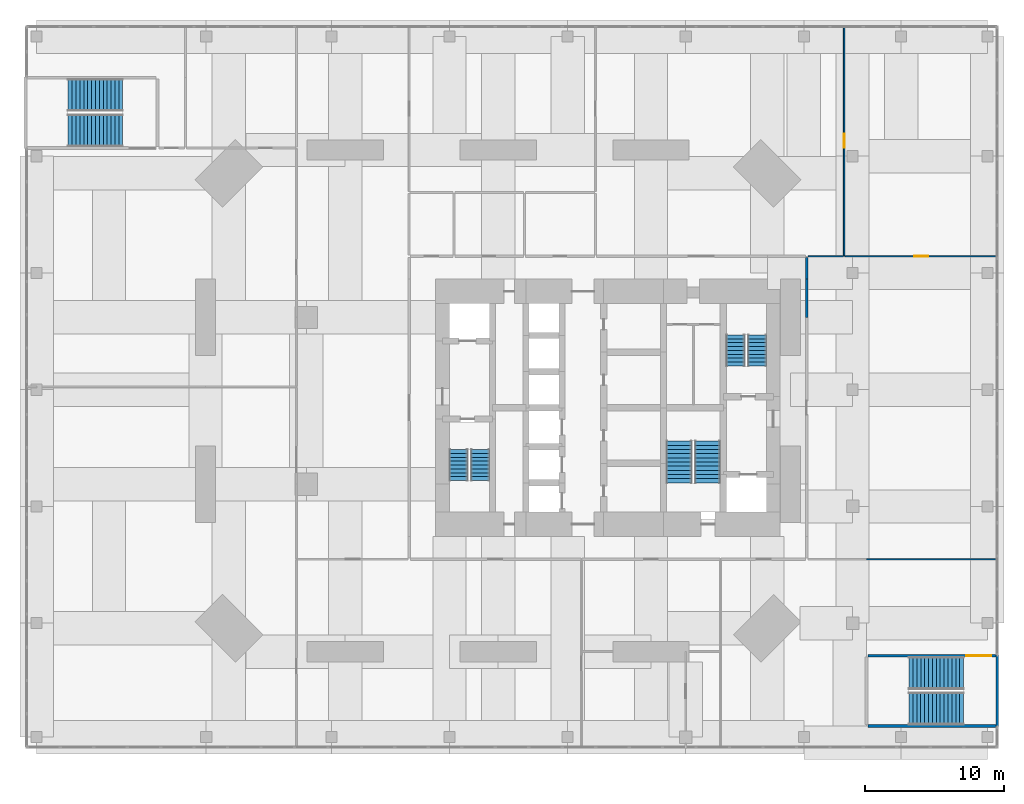
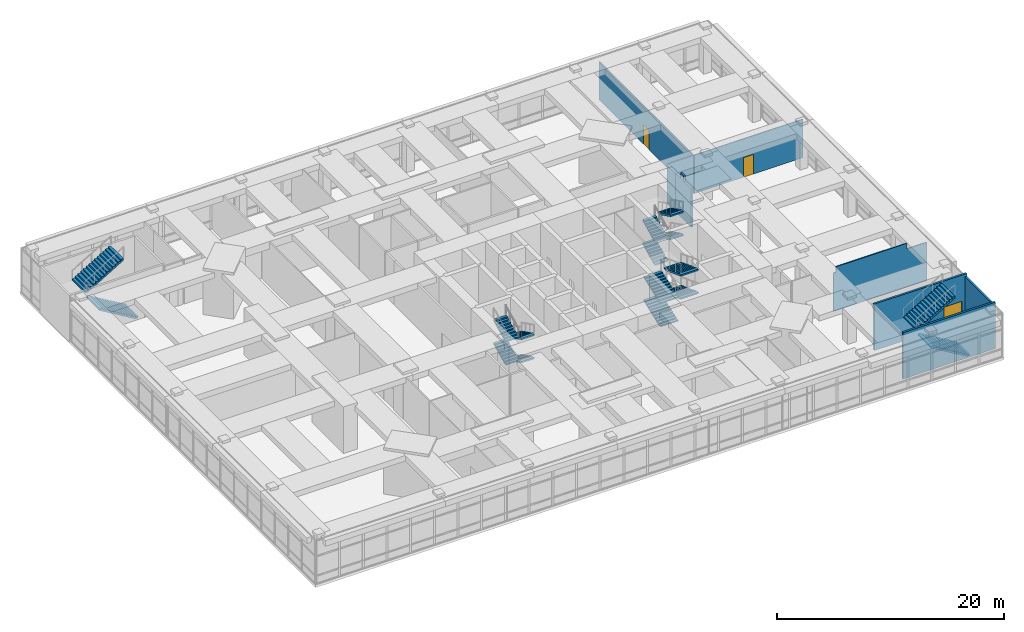
# One storey, part 21 of 22: 16 stair flights, 9 walls, 3 doors, 3 openings, 5 elements without a shape of their own.
"""IFC4 building model written with IfcOpenShell, lengths in metres."""

from ifc_helpers import new_model, si_unit, direction, frame, frame_2d, origin, place, context, subcontext, project, spatial, polyline, rectangle, outline, extrude, material, constituent, constituent_set, type_object, element, fill, aggregate, save


model = new_model("IFC4")

# Units and contexts
model_context = context("Model", 3, precision=1e-05, world=origin(), true_north=direction((0.0, 1.0)))
body_context = subcontext(model_context, "Body", "Model", "MODEL_VIEW")
ifc_project = project(units=[si_unit("LENGTHUNIT", "METRE"), si_unit("AREAUNIT", "SQUARE_METRE"), si_unit("VOLUMEUNIT", "CUBIC_METRE"), si_unit("PLANEANGLEUNIT", "RADIAN"), si_unit("MASSUNIT", "GRAM", prefix="KILO")], contexts=[model_context])

# Site, building, storey
site_placement = place(None, origin())
site = spatial("IfcSite", under=ifc_project, at=site_placement, CompositionType="ELEMENT")
building_placement = place(site_placement, origin())
building = spatial("IfcBuilding", under=site, at=building_placement, Name="Jalousie Tower", CompositionType="ELEMENT")
storey_placement = place(building_placement, frame((0.0, 0.0, 6.0)))
storey = spatial("IfcBuildingStorey", under=building, at=storey_placement, Name="L01", CompositionType="ELEMENT", Elevation=6.0)

# Walls
ifc_material_1 = material(Name="Concrete block ASTM C90", Category="concrete")
ifc_constituent_1 = constituent(ifc_material_1, Name="Body")
ifc_material_2 = material(Name="Render")
ifc_constituent_2 = constituent(ifc_material_2, Name="Finish")
ifc_constituent_set_1 = constituent_set(constituents=[ifc_constituent_1, ifc_constituent_2])
wall_type_1 = type_object("IfcWallType", Name="CORRIDOR WALL 200", PredefinedType="PARTITIONING", material=ifc_constituent_set_1)
wall_1_placement = place(storey_placement, frame((46.199951171875, 27.75, 0.0), z_axis=(0.0, 0.0, 1.0), x_axis=(0.0, 1.0, 0.0)))
element("IfcWall", 1, at=wall_1_placement, inside=storey, type_object=wall_type_1, Name="Corridor Wall 200 L01", PredefinedType="PARTITIONING", context=body_context, shape_type="SweptSolid", body=[
    extrude(outline(polyline([(0.0, 0.0), (1.550048828125, 0.0), (1.550048828125, 4.719970703125), (1.550048828125, 4.1201171875), (0.0, 4.1201171875), (0.0, 4.719970703125), (0.0, 0.0)])), frame((0.0, 0.10009765625, 0.0), z_axis=(0.0, -1.0, 0.0), x_axis=(1.0, 0.0, 0.0)), (0.0, 0.0, 1.0), 0.199951171875),
])
wall_2_placement = place(storey_placement, frame((46.199951171875, 25.0, 0.0), z_axis=(0.0, 0.0, 1.0), x_axis=(0.0, 1.0, 0.0)))
element("IfcWall", 2, at=wall_2_placement, inside=storey, type_object=wall_type_1, Name="Corridor Wall 200 L01-C", PredefinedType="PARTITIONING", context=body_context, shape_type="SweptSolid", body=[
    extrude(outline(polyline([(0.0, 0.0), (2.75, 0.0), (2.75, 4.1201171875), (1.889892578125, 4.1201171875), (1.889892578125, 4.719970703125), (1.31005859375, 4.719970703125), (1.31005859375, 4.1201171875), (0.0, 4.1201171875), (0.0, 0.0)])), frame((0.0, 0.10009765625, 0.0), z_axis=(0.0, -1.0, 0.0), x_axis=(1.0, 0.0, 0.0)), (0.0, 0.0, 1.0), 0.199951171875),
])
ifc_material_3 = material(Name="Concrete f'c 40 MPa", Category="concrete")
ifc_constituent_3 = constituent(ifc_material_3, Name="Body")
ifc_material_4 = material(Name="Render, pastel coral")
ifc_constituent_4 = constituent(ifc_material_4, Name="Finish")
ifc_constituent_set_2 = constituent_set(constituents=[ifc_constituent_3, ifc_constituent_4])
wall_type_2 = type_object("IfcWallType", Name="EXTERNAL WALL 175 CORAL RENDER", PredefinedType="SOLIDWALL", material=ifc_constituent_set_2)
wall_3_placement = place(storey_placement, frame((59.91259765625, -4.449951171875, 0.0), z_axis=(0.0, 0.0, 1.0), x_axis=(0.0, 1.0, 0.0)))
element("IfcWall", 3, at=wall_3_placement, inside=storey, type_object=wall_type_2, Name="External Wall 175 Coral Render L01", PredefinedType="SOLIDWALL", context=body_context, shape_type="SweptSolid", body=[
    extrude(rectangle(XDim=5.14990234375, YDim=0.175048828125, at=frame_2d((2.574951171875, 0.0))), origin(), (0.0, 0.0, 1.0), 4.719970703125),
])
ifc_material_5 = material(Name="Gypsum board", Category="gypsum")
ifc_constituent_5 = constituent(ifc_material_5, Name="Body")
ifc_material_6 = material(Name="Light-gauge steel studs ASTM A653 SS Grade 33", Category="steel")
ifc_constituent_6 = constituent(ifc_material_6, Name="Framing")
ifc_constituent_set_3 = constituent_set(constituents=[ifc_constituent_5, ifc_constituent_6])
wall_type_3 = type_object("IfcWallType", Name="PARTITION 100", PredefinedType="PARTITIONING", material=ifc_constituent_set_3)
wall_4_placement = place(storey_placement, frame((50.5, 7.60009765625, 0.0), z_axis=(0.0, 0.0, 1.0), x_axis=(1.0, 0.0, 0.0)))
element("IfcWall", 4, at=wall_4_placement, inside=storey, type_object=wall_type_3, Name="Partition 100 L01", PredefinedType="PARTITIONING", context=body_context, shape_type="SweptSolid", body=[
    extrude(outline(polyline([(0.0, 0.0), (9.5, 0.0), (9.5, 4.719970703125), (9.5, 4.1201171875), (7.43994140625, 4.1201171875), (7.43994140625, 4.719970703125), (0.260009765625, 4.719970703125), (0.260009765625, 4.1201171875), (0.0, 4.1201171875), (0.0, 4.719970703125), (0.0, 0.0)])), frame((0.0, 0.050048828125, 0.0), z_axis=(0.0, -1.0, 0.0), x_axis=(1.0, 0.0, 0.0)), (0.0, 0.0, 1.0), 0.10009765625),
])
wall_5_placement = place(storey_placement, frame((46.300048828125, 29.39990234375, 0.0), z_axis=(0.0, 0.0, 1.0), x_axis=(1.0, 0.0, 0.0)))
element("IfcWall", 5, at=wall_5_placement, inside=storey, type_object=wall_type_3, Name="Partition 100 L01", PredefinedType="PARTITIONING", context=body_context, shape_type="SweptSolid", body=[
    extrude(outline(polyline([(0.0, 0.0), (2.550048828125, 0.0), (2.550048828125, 4.719970703125), (2.550048828125, 4.1201171875), (0.0, 4.1201171875), (0.0, 4.719970703125), (0.0, 0.0)])), frame((0.0, 0.050048828125, 0.0), z_axis=(0.0, -1.0, 0.0), x_axis=(1.0, 0.0, 0.0)), (0.0, 0.0, 1.0), 0.10009765625),
])

# Wall, opening, door
wall_6_placement = place(storey_placement, frame((48.89990234375, 29.449951171875, 0.0), z_axis=(0.0, 0.0, 1.0), x_axis=(0.0, 1.0, 0.0)))
wall_6 = element("IfcWall", 6, at=wall_6_placement, inside=storey, type_object=wall_type_3, Name="Partition 100 L01", PredefinedType="PARTITIONING", context=body_context, shape_type="SweptSolid", body=[
    extrude(outline(polyline([(0.0, 0.0), (16.550048828125, 0.0), (16.550048828125, 4.719970703125), (16.550048828125, 4.1201171875), (15.81005859375, 4.1201171875), (7.2099609375, 4.1201171875), (0.010009765625, 4.1201171875), (0.0, 4.1201171875), (0.0, 4.719970703125), (0.0, 0.0)])), frame((0.0, 0.050048828125, 0.0), z_axis=(0.0, -1.0, 0.0), x_axis=(1.0, 0.0, 0.0)), (0.0, 0.0, 1.0), 0.10009765625),
])
opening_1_placement = place(wall_6_placement, frame((7.75, 0.0, 0.0)))
opening_1 = element("IfcOpeningElement", 7, at=opening_1_placement, cuts=wall_6, Name="Opening D6", PredefinedType="OPENING", context=body_context, shape_type="SweptSolid", body=[
    extrude(rectangle(XDim=1.0, YDim=2.10009765625, at=frame_2d((0.5, 1.050048828125))), frame((0.0, 0.06005859375, 0.0), z_axis=(0.0, -1.0, 0.0), x_axis=(1.0, 0.0, 0.0)), (0.0, 0.0, 1.0), 0.1201171875),
])
ifc_material_7 = material(Name="Timber door", Category="wood")
door_type_1 = type_object("IfcDoorType", Name="INTERNAL DOOR 1000", OperationType="SINGLE_SWING_LEFT", PredefinedType="DOOR", material=ifc_material_7)
door_1_placement = place(opening_1_placement, origin())
door_1 = element("IfcDoor", 8, at=door_1_placement, inside=storey, type_object=door_type_1, Name="Media room second door", OperationType="SINGLE_SWING_LEFT", OverallHeight=2.10009765625, OverallWidth=1.0, PredefinedType="DOOR", context=body_context, shape_type="SweptSolid", body=[
    extrude(rectangle(XDim=1.0, YDim=2.10009765625, at=frame_2d((0.5, 1.050048828125))), frame((0.0, 0.02490234375, 0.0), z_axis=(0.0, -1.0, 0.0), x_axis=(1.0, 0.0, 0.0)), (0.0, 0.0, 1.0), 0.050048828125),
])
fill(opening_1, door_1)

wall_7_placement = place(storey_placement, frame((48.949951171875, 29.39990234375, 0.0), z_axis=(0.0, 0.0, 1.0), x_axis=(1.0, 0.0, 0.0)))
wall_7 = element("IfcWall", 9, at=wall_7_placement, inside=storey, type_object=wall_type_3, Name="Partition 100 L01", PredefinedType="PARTITIONING", context=body_context, shape_type="SweptSolid", body=[
    extrude(outline(polyline([(0.0, 0.0), (11.050048828125, 0.0), (11.050048828125, 4.719970703125), (11.050048828125, 4.1201171875), (10.31005859375, 4.1201171875), (1.81005859375, 4.1201171875), (0.610107421875, 4.1201171875), (0.0, 4.1201171875), (0.0, 4.719970703125), (0.0, 0.0)])), frame((0.0, 0.050048828125, 0.0), z_axis=(0.0, -1.0, 0.0), x_axis=(1.0, 0.0, 0.0)), (0.0, 0.0, 1.0), 0.10009765625),
])
opening_2_placement = place(wall_7_placement, frame((5.0, 0.0, 0.0)))
opening_2 = element("IfcOpeningElement", 10, at=opening_2_placement, cuts=wall_7, Name="Opening D6", PredefinedType="OPENING", context=body_context, shape_type="SweptSolid", body=[
    extrude(rectangle(XDim=1.0, YDim=2.10009765625, at=frame_2d((0.5, 1.050048828125))), frame((0.0, 0.06005859375, 0.0), z_axis=(0.0, -1.0, 0.0), x_axis=(1.0, 0.0, 0.0)), (0.0, 0.0, 1.0), 0.1201171875),
])
door_2_placement = place(opening_2_placement, frame((1.0, 0.0, 0.0), z_axis=(0.0, 0.0, 1.0), x_axis=(-1.0, 0.0, 0.0)))
door_2 = element("IfcDoor", 11, at=door_2_placement, inside=storey, type_object=door_type_1, Name="Media room door", OperationType="SINGLE_SWING_RIGHT", OverallHeight=2.10009765625, OverallWidth=1.0, PredefinedType="DOOR", context=body_context, shape_type="SweptSolid", body=[
    extrude(rectangle(XDim=1.0, YDim=2.10009765625, at=frame_2d((0.5, 1.050048828125))), frame((0.0, 0.02490234375, 0.0), z_axis=(0.0, -1.0, 0.0), x_axis=(1.0, 0.0, 0.0)), (0.0, 0.0, 1.0), 0.050048828125),
])
fill(opening_2, door_2)

# Wall
ifc_material_8 = material(Name="Concrete block ASTM C90", Category="concrete")
ifc_constituent_7 = constituent(ifc_material_8, Name="Body")
ifc_material_9 = material(Name="Render")
ifc_constituent_8 = constituent(ifc_material_9, Name="Finish")
ifc_constituent_set_4 = constituent_set(constituents=[ifc_constituent_7, ifc_constituent_8])
wall_type_4 = type_object("IfcWallType", Name="STAIR WALL 200", PredefinedType="SOLIDWALL", material=ifc_constituent_set_4)
wall_8_placement = place(storey_placement, frame((50.60009765625, -4.39990234375, 0.0), z_axis=(0.0, 0.0, 1.0), x_axis=(1.0, 0.0, 0.0)))
element("IfcWall", 12, at=wall_8_placement, inside=storey, type_object=wall_type_4, Name="Stair Wall 200 L01", PredefinedType="SOLIDWALL", context=body_context, shape_type="SweptSolid", body=[
    extrude(rectangle(XDim=9.39990234375, YDim=0.199951171875, at=frame_2d((4.699951171875, 0.0))), origin(), (0.0, 0.0, 1.0), 5.0),
])

# Wall, opening, door
wall_9_placement = place(storey_placement, frame((50.60009765625, 0.64990234375, 0.0), z_axis=(0.0, 0.0, 1.0), x_axis=(1.0, 0.0, 0.0)))
wall_9 = element("IfcWall", 13, at=wall_9_placement, inside=storey, type_object=wall_type_4, Name="Stair Wall 200 L01", PredefinedType="SOLIDWALL", context=body_context, shape_type="SweptSolid", body=[
    extrude(rectangle(XDim=9.39990234375, YDim=0.199951171875, at=frame_2d((4.699951171875, 0.0))), origin(), (0.0, 0.0, 1.0), 5.0),
])
opening_3_placement = place(wall_9_placement, frame((7.094970703125, 0.0, 0.0)))
opening_3 = element("IfcOpeningElement", 14, at=opening_3_placement, cuts=wall_9, Name="Opening D17", PredefinedType="OPENING", context=body_context, shape_type="SweptSolid", body=[
    extrude(rectangle(XDim=1.800048828125, YDim=2.199951171875, at=frame_2d((0.89990234375, 1.10009765625))), frame((0.0, 0.10986328125, 0.0), z_axis=(0.0, -1.0, 0.0), x_axis=(1.0, 0.0, 0.0)), (0.0, 0.0, 1.0), 0.219970703125),
])
ifc_material_10 = material(Name="Steel fire door", Category="steel")
door_type_2 = type_object("IfcDoorType", Name="STAIR DOOR 1800", OperationType="DOUBLE_DOOR_SINGLE_SWING", PredefinedType="DOOR", material=ifc_material_10)
door_3_placement = place(opening_3_placement, frame((1.800048828125, 0.0, 0.0), z_axis=(0.0, 0.0, 1.0), x_axis=(-1.0, 0.0, 0.0)))
door_3 = element("IfcDoor", 15, at=door_3_placement, inside=storey, type_object=door_type_2, Name="Stair PS2 door", OperationType="DOUBLE_DOOR_SINGLE_SWING", OverallHeight=2.199951171875, OverallWidth=1.800048828125, PredefinedType="DOOR", context=body_context, shape_type="SweptSolid", body=[
    extrude(rectangle(XDim=1.800048828125, YDim=2.199951171875, at=frame_2d((0.89990234375, 1.10009765625))), frame((0.0, 0.02490234375, 0.0), z_axis=(0.0, -1.0, 0.0), x_axis=(1.0, 0.0, 0.0)), (0.0, 0.0, 1.0), 0.050048828125),
])
fill(opening_3, door_3)

# Stair, stair flights
ifc_material_11 = material(Name="Concrete f'c 40 MPa", Category="concrete")
stair_type_1 = type_object("IfcStairType", Name="EXIT STAIR", PredefinedType="HALF_TURN_STAIR", material=ifc_material_11)
stair_1_placement = place(storey_placement, origin())
stair_1 = element("IfcStair", 16, at=stair_1_placement, inside=storey, type_object=stair_type_1, Name="Exit stair A L01", PredefinedType="HALF_TURN_STAIR")
ifc_material_12 = material(Name="Concrete f'c 40 MPa", Category="concrete")
stair_flight_type_1 = type_object("IfcStairFlightType", Name="STAIR FLIGHT", PredefinedType="STRAIGHT", material=ifc_material_12)
stair_flight_1_placement = place(storey_placement, frame((22.71875, 15.49755859375, 0.0), z_axis=(0.0, 0.0, 1.0), x_axis=(0.0, -1.0, 0.0)))
stair_flight_1 = element("IfcStairFlight", 17, at=stair_flight_1_placement, type_object=stair_flight_type_1, Name="ST-A flight 1", NumberOfRisers=9, NumberOfTreads=8, PredefinedType="STRAIGHT", RiserHeight=0.138888889, TreadLength=0.28, context=body_context, shape_type="SweptSolid", body=[
    extrude(outline(polyline([(0.0, 0.0), (0.0, 0.138916015625), (0.280029296875, 0.138916015625), (0.280029296875, 0.27783203125), (0.56005859375, 0.27783203125), (0.56005859375, 0.416748046875), (0.840087890625, 0.416748046875), (0.840087890625, 0.5556640625), (1.1201171875, 0.5556640625), (1.1201171875, 0.6943359375), (1.39990234375, 0.6943359375), (1.39990234375, 0.833251953125), (1.679931640625, 0.833251953125), (1.679931640625, 0.97216796875), (1.9599609375, 0.97216796875), (1.9599609375, 1.111083984375), (2.239990234375, 1.111083984375), (2.239990234375, 1.25), (2.239990234375, 0.94384765625), (0.33740234375, 0.0), (0.0, 0.0)])), frame((0.0, 0.65625, 0.0), z_axis=(0.0, -1.0, 0.0), x_axis=(1.0, 0.0, 0.0)), (0.0, 0.0, 1.0), 1.3125),
])
stair_flight_2_placement = place(storey_placement, frame((21.15625, 13.257568359375, 1.25), z_axis=(0.0, 0.0, 1.0), x_axis=(0.0, 1.0, 0.0)))
stair_flight_2 = element("IfcStairFlight", 18, at=stair_flight_2_placement, type_object=stair_flight_type_1, Name="ST-A flight 2", NumberOfRisers=9, NumberOfTreads=8, PredefinedType="STRAIGHT", RiserHeight=0.138888889, TreadLength=0.28, context=body_context, shape_type="SweptSolid", body=[
    extrude(outline(polyline([(0.0, 0.0), (0.0, 0.138916015625), (0.280029296875, 0.138916015625), (0.280029296875, 0.27783203125), (0.56005859375, 0.27783203125), (0.56005859375, 0.416748046875), (0.840087890625, 0.416748046875), (0.840087890625, 0.5556640625), (1.1201171875, 0.5556640625), (1.1201171875, 0.6943359375), (1.39990234375, 0.6943359375), (1.39990234375, 0.833251953125), (1.679931640625, 0.833251953125), (1.679931640625, 0.97216796875), (1.9599609375, 0.97216796875), (1.9599609375, 1.111083984375), (2.239990234375, 1.111083984375), (2.239990234375, 1.25), (2.239990234375, 0.94384765625), (0.33740234375, 0.0), (0.0, 0.0)])), frame((0.0, 0.65625, 0.0), z_axis=(0.0, -1.0, 0.0), x_axis=(1.0, 0.0, 0.0)), (0.0, 0.0, 1.0), 1.3125),
])
stair_flight_3_placement = place(storey_placement, frame((22.71875, 15.49755859375, 2.5), z_axis=(0.0, 0.0, 1.0), x_axis=(0.0, -1.0, 0.0)))
stair_flight_3 = element("IfcStairFlight", 19, at=stair_flight_3_placement, type_object=stair_flight_type_1, Name="ST-A flight 3", NumberOfRisers=9, NumberOfTreads=8, PredefinedType="STRAIGHT", RiserHeight=0.138888889, TreadLength=0.28, context=body_context, shape_type="SweptSolid", body=[
    extrude(outline(polyline([(0.0, 0.0), (0.0, 0.138916015625), (0.280029296875, 0.138916015625), (0.280029296875, 0.27783203125), (0.56005859375, 0.27783203125), (0.56005859375, 0.416748046875), (0.840087890625, 0.416748046875), (0.840087890625, 0.5556640625), (1.1201171875, 0.5556640625), (1.1201171875, 0.6943359375), (1.39990234375, 0.6943359375), (1.39990234375, 0.833251953125), (1.679931640625, 0.833251953125), (1.679931640625, 0.97216796875), (1.9599609375, 0.97216796875), (1.9599609375, 1.111083984375), (2.239990234375, 1.111083984375), (2.239990234375, 1.25), (2.239990234375, 0.94384765625), (0.33740234375, 0.0), (0.0, 0.0)])), frame((0.0, 0.65625, 0.0), z_axis=(0.0, -1.0, 0.0), x_axis=(1.0, 0.0, 0.0)), (0.0, 0.0, 1.0), 1.3125),
])
stair_flight_4_placement = place(storey_placement, frame((21.15625, 13.257568359375, 3.75), z_axis=(0.0, 0.0, 1.0), x_axis=(0.0, 1.0, 0.0)))
stair_flight_4 = element("IfcStairFlight", 20, at=stair_flight_4_placement, type_object=stair_flight_type_1, Name="ST-A flight 4", NumberOfRisers=9, NumberOfTreads=8, PredefinedType="STRAIGHT", RiserHeight=0.138888889, TreadLength=0.28, context=body_context, shape_type="SweptSolid", body=[
    extrude(outline(polyline([(0.0, 0.0), (0.0, 0.138916015625), (0.280029296875, 0.138916015625), (0.280029296875, 0.27783203125), (0.56005859375, 0.27783203125), (0.56005859375, 0.416748046875), (0.840087890625, 0.416748046875), (0.840087890625, 0.5556640625), (1.1201171875, 0.5556640625), (1.1201171875, 0.6943359375), (1.39990234375, 0.6943359375), (1.39990234375, 0.833251953125), (1.679931640625, 0.833251953125), (1.679931640625, 0.97216796875), (1.9599609375, 0.97216796875), (1.9599609375, 1.111083984375), (2.239990234375, 1.111083984375), (2.239990234375, 1.25), (2.239990234375, 0.94384765625), (0.33740234375, 0.0), (0.0, 0.0)])), frame((0.0, 0.65625, 0.0), z_axis=(0.0, -1.0, 0.0), x_axis=(1.0, 0.0, 0.0)), (0.0, 0.0, 1.0), 1.3125),
])
aggregate(stair_1, [stair_flight_1, stair_flight_2, stair_flight_3, stair_flight_4])

stair_2_placement = place(storey_placement, origin())
stair_2 = element("IfcStair", 21, at=stair_2_placement, inside=storey, type_object=stair_type_1, Name="Exit stair B L01", PredefinedType="HALF_TURN_STAIR")
stair_flight_5_placement = place(storey_placement, frame((41.081298828125, 21.50244140625, 0.0), z_axis=(0.0, 0.0, 1.0), x_axis=(0.0, 1.0, 0.0)))
stair_flight_5 = element("IfcStairFlight", 22, at=stair_flight_5_placement, type_object=stair_flight_type_1, Name="ST-B flight 1", NumberOfRisers=9, NumberOfTreads=8, PredefinedType="STRAIGHT", RiserHeight=0.138888889, TreadLength=0.28, context=body_context, shape_type="SweptSolid", body=[
    extrude(outline(polyline([(0.0, 0.0), (0.0, 0.138916015625), (0.280029296875, 0.138916015625), (0.280029296875, 0.27783203125), (0.56005859375, 0.27783203125), (0.56005859375, 0.416748046875), (0.840087890625, 0.416748046875), (0.840087890625, 0.5556640625), (1.1201171875, 0.5556640625), (1.1201171875, 0.6943359375), (1.39990234375, 0.6943359375), (1.39990234375, 0.833251953125), (1.679931640625, 0.833251953125), (1.679931640625, 0.97216796875), (1.9599609375, 0.97216796875), (1.9599609375, 1.111083984375), (2.239990234375, 1.111083984375), (2.239990234375, 1.25), (2.239990234375, 0.94384765625), (0.33740234375, 0.0), (0.0, 0.0)])), frame((0.0, 0.65625, 0.0), z_axis=(0.0, -1.0, 0.0), x_axis=(1.0, 0.0, 0.0)), (0.0, 0.0, 1.0), 1.3125),
])
stair_flight_6_placement = place(storey_placement, frame((42.643798828125, 23.742431640625, 1.25), z_axis=(0.0, 0.0, 1.0), x_axis=(0.0, -1.0, 0.0)))
stair_flight_6 = element("IfcStairFlight", 23, at=stair_flight_6_placement, type_object=stair_flight_type_1, Name="ST-B flight 2", NumberOfRisers=9, NumberOfTreads=8, PredefinedType="STRAIGHT", RiserHeight=0.138888889, TreadLength=0.28, context=body_context, shape_type="SweptSolid", body=[
    extrude(outline(polyline([(0.0, 0.0), (0.0, 0.138916015625), (0.280029296875, 0.138916015625), (0.280029296875, 0.27783203125), (0.56005859375, 0.27783203125), (0.56005859375, 0.416748046875), (0.840087890625, 0.416748046875), (0.840087890625, 0.5556640625), (1.1201171875, 0.5556640625), (1.1201171875, 0.6943359375), (1.39990234375, 0.6943359375), (1.39990234375, 0.833251953125), (1.679931640625, 0.833251953125), (1.679931640625, 0.97216796875), (1.9599609375, 0.97216796875), (1.9599609375, 1.111083984375), (2.239990234375, 1.111083984375), (2.239990234375, 1.25), (2.239990234375, 0.94384765625), (0.33740234375, 0.0), (0.0, 0.0)])), frame((0.0, 0.65625, 0.0), z_axis=(0.0, -1.0, 0.0), x_axis=(1.0, 0.0, 0.0)), (0.0, 0.0, 1.0), 1.3125),
])
stair_flight_7_placement = place(storey_placement, frame((41.081298828125, 21.50244140625, 2.5), z_axis=(0.0, 0.0, 1.0), x_axis=(0.0, 1.0, 0.0)))
stair_flight_7 = element("IfcStairFlight", 24, at=stair_flight_7_placement, type_object=stair_flight_type_1, Name="ST-B flight 3", NumberOfRisers=9, NumberOfTreads=8, PredefinedType="STRAIGHT", RiserHeight=0.138888889, TreadLength=0.28, context=body_context, shape_type="SweptSolid", body=[
    extrude(outline(polyline([(0.0, 0.0), (0.0, 0.138916015625), (0.280029296875, 0.138916015625), (0.280029296875, 0.27783203125), (0.56005859375, 0.27783203125), (0.56005859375, 0.416748046875), (0.840087890625, 0.416748046875), (0.840087890625, 0.5556640625), (1.1201171875, 0.5556640625), (1.1201171875, 0.6943359375), (1.39990234375, 0.6943359375), (1.39990234375, 0.833251953125), (1.679931640625, 0.833251953125), (1.679931640625, 0.97216796875), (1.9599609375, 0.97216796875), (1.9599609375, 1.111083984375), (2.239990234375, 1.111083984375), (2.239990234375, 1.25), (2.239990234375, 0.94384765625), (0.33740234375, 0.0), (0.0, 0.0)])), frame((0.0, 0.65625, 0.0), z_axis=(0.0, -1.0, 0.0), x_axis=(1.0, 0.0, 0.0)), (0.0, 0.0, 1.0), 1.3125),
])
stair_flight_8_placement = place(storey_placement, frame((42.643798828125, 23.742431640625, 3.75), z_axis=(0.0, 0.0, 1.0), x_axis=(0.0, -1.0, 0.0)))
stair_flight_8 = element("IfcStairFlight", 25, at=stair_flight_8_placement, type_object=stair_flight_type_1, Name="ST-B flight 4", NumberOfRisers=9, NumberOfTreads=8, PredefinedType="STRAIGHT", RiserHeight=0.138888889, TreadLength=0.28, context=body_context, shape_type="SweptSolid", body=[
    extrude(outline(polyline([(0.0, 0.0), (0.0, 0.138916015625), (0.280029296875, 0.138916015625), (0.280029296875, 0.27783203125), (0.56005859375, 0.27783203125), (0.56005859375, 0.416748046875), (0.840087890625, 0.416748046875), (0.840087890625, 0.5556640625), (1.1201171875, 0.5556640625), (1.1201171875, 0.6943359375), (1.39990234375, 0.6943359375), (1.39990234375, 0.833251953125), (1.679931640625, 0.833251953125), (1.679931640625, 0.97216796875), (1.9599609375, 0.97216796875), (1.9599609375, 1.111083984375), (2.239990234375, 1.111083984375), (2.239990234375, 1.25), (2.239990234375, 0.94384765625), (0.33740234375, 0.0), (0.0, 0.0)])), frame((0.0, 0.65625, 0.0), z_axis=(0.0, -1.0, 0.0), x_axis=(1.0, 0.0, 0.0)), (0.0, 0.0, 1.0), 1.3125),
])
aggregate(stair_2, [stair_flight_5, stair_flight_6, stair_flight_7, stair_flight_8])

stair_3_placement = place(storey_placement, origin())
stair_3 = element("IfcStair", 26, at=stair_3_placement, inside=storey, type_object=stair_type_1, Name="Exit stair C L01", PredefinedType="HALF_TURN_STAIR")
stair_flight_9_placement = place(storey_placement, frame((37.02490234375, 13.097412109375, 0.0), z_axis=(0.0, 0.0, 1.0), x_axis=(0.0, 1.0, 0.0)))
stair_flight_9 = element("IfcStairFlight", 27, at=stair_flight_9_placement, type_object=stair_flight_type_1, Name="ST-C flight 1", NumberOfRisers=11, NumberOfTreads=10, PredefinedType="STRAIGHT", RiserHeight=0.113636364, TreadLength=0.3, context=body_context, shape_type="SweptSolid", body=[
    extrude(outline(polyline([(0.0, 0.0), (0.0, 0.113525390625), (0.300048828125, 0.113525390625), (0.300048828125, 0.227294921875), (0.60009765625, 0.227294921875), (0.60009765625, 0.3408203125), (0.89990234375, 0.3408203125), (0.89990234375, 0.45458984375), (1.199951171875, 0.45458984375), (1.199951171875, 0.568115234375), (1.5, 0.568115234375), (1.5, 0.681884765625), (1.800048828125, 0.681884765625), (1.800048828125, 0.79541015625), (2.10009765625, 0.79541015625), (2.10009765625, 0.9091796875), (2.39990234375, 0.9091796875), (2.39990234375, 1.022705078125), (2.699951171875, 1.022705078125), (2.699951171875, 1.136474609375), (3.0, 1.136474609375), (3.0, 1.25), (3.0, 0.97607421875), (0.423095703125, 0.0), (0.0, 0.0)])), frame((0.0, 0.89990234375, 0.0), z_axis=(0.0, -1.0, 0.0), x_axis=(1.0, 0.0, 0.0)), (0.0, 0.0, 1.0), 1.800048828125),
])
stair_flight_10_placement = place(storey_placement, frame((39.074951171875, 16.097412109375, 1.25), z_axis=(0.0, 0.0, 1.0), x_axis=(0.0, -1.0, 0.0)))
stair_flight_10 = element("IfcStairFlight", 28, at=stair_flight_10_placement, type_object=stair_flight_type_1, Name="ST-C flight 2", NumberOfRisers=11, NumberOfTreads=10, PredefinedType="STRAIGHT", RiserHeight=0.113636364, TreadLength=0.3, context=body_context, shape_type="SweptSolid", body=[
    extrude(outline(polyline([(0.0, 0.0), (0.0, 0.113525390625), (0.300048828125, 0.113525390625), (0.300048828125, 0.227294921875), (0.60009765625, 0.227294921875), (0.60009765625, 0.3408203125), (0.89990234375, 0.3408203125), (0.89990234375, 0.45458984375), (1.199951171875, 0.45458984375), (1.199951171875, 0.568115234375), (1.5, 0.568115234375), (1.5, 0.681884765625), (1.800048828125, 0.681884765625), (1.800048828125, 0.79541015625), (2.10009765625, 0.79541015625), (2.10009765625, 0.9091796875), (2.39990234375, 0.9091796875), (2.39990234375, 1.022705078125), (2.699951171875, 1.022705078125), (2.699951171875, 1.136474609375), (3.0, 1.136474609375), (3.0, 1.25), (3.0, 0.97607421875), (0.423095703125, 0.0), (0.0, 0.0)])), frame((0.0, 0.89990234375, 0.0), z_axis=(0.0, -1.0, 0.0), x_axis=(1.0, 0.0, 0.0)), (0.0, 0.0, 1.0), 1.800048828125),
])
stair_flight_11_placement = place(storey_placement, frame((37.02490234375, 13.097412109375, 2.5), z_axis=(0.0, 0.0, 1.0), x_axis=(0.0, 1.0, 0.0)))
stair_flight_11 = element("IfcStairFlight", 29, at=stair_flight_11_placement, type_object=stair_flight_type_1, Name="ST-C flight 3", NumberOfRisers=11, NumberOfTreads=10, PredefinedType="STRAIGHT", RiserHeight=0.113636364, TreadLength=0.3, context=body_context, shape_type="SweptSolid", body=[
    extrude(outline(polyline([(0.0, 0.0), (0.0, 0.113525390625), (0.300048828125, 0.113525390625), (0.300048828125, 0.227294921875), (0.60009765625, 0.227294921875), (0.60009765625, 0.3408203125), (0.89990234375, 0.3408203125), (0.89990234375, 0.45458984375), (1.199951171875, 0.45458984375), (1.199951171875, 0.568115234375), (1.5, 0.568115234375), (1.5, 0.681884765625), (1.800048828125, 0.681884765625), (1.800048828125, 0.79541015625), (2.10009765625, 0.79541015625), (2.10009765625, 0.9091796875), (2.39990234375, 0.9091796875), (2.39990234375, 1.022705078125), (2.699951171875, 1.022705078125), (2.699951171875, 1.136474609375), (3.0, 1.136474609375), (3.0, 1.25), (3.0, 0.97607421875), (0.423095703125, 0.0), (0.0, 0.0)])), frame((0.0, 0.89990234375, 0.0), z_axis=(0.0, -1.0, 0.0), x_axis=(1.0, 0.0, 0.0)), (0.0, 0.0, 1.0), 1.800048828125),
])
stair_flight_12_placement = place(storey_placement, frame((39.074951171875, 16.097412109375, 3.75), z_axis=(0.0, 0.0, 1.0), x_axis=(0.0, -1.0, 0.0)))
stair_flight_12 = element("IfcStairFlight", 30, at=stair_flight_12_placement, type_object=stair_flight_type_1, Name="ST-C flight 4", NumberOfRisers=11, NumberOfTreads=10, PredefinedType="STRAIGHT", RiserHeight=0.113636364, TreadLength=0.3, context=body_context, shape_type="SweptSolid", body=[
    extrude(outline(polyline([(0.0, 0.0), (0.0, 0.113525390625), (0.300048828125, 0.113525390625), (0.300048828125, 0.227294921875), (0.60009765625, 0.227294921875), (0.60009765625, 0.3408203125), (0.89990234375, 0.3408203125), (0.89990234375, 0.45458984375), (1.199951171875, 0.45458984375), (1.199951171875, 0.568115234375), (1.5, 0.568115234375), (1.5, 0.681884765625), (1.800048828125, 0.681884765625), (1.800048828125, 0.79541015625), (2.10009765625, 0.79541015625), (2.10009765625, 0.9091796875), (2.39990234375, 0.9091796875), (2.39990234375, 1.022705078125), (2.699951171875, 1.022705078125), (2.699951171875, 1.136474609375), (3.0, 1.136474609375), (3.0, 1.25), (3.0, 0.97607421875), (0.423095703125, 0.0), (0.0, 0.0)])), frame((0.0, 0.89990234375, 0.0), z_axis=(0.0, -1.0, 0.0), x_axis=(1.0, 0.0, 0.0)), (0.0, 0.0, 1.0), 1.800048828125),
])
aggregate(stair_3, [stair_flight_9, stair_flight_10, stair_flight_11, stair_flight_12])

ifc_material_13 = material(Name="Concrete f'c 40 MPa", Category="concrete")
stair_type_2 = type_object("IfcStairType", Name="WIDE EXIT STAIR", PredefinedType="HALF_TURN_STAIR", material=ifc_material_13)
stair_4_placement = place(storey_placement, origin())
stair_4 = element("IfcStair", 31, at=stair_4_placement, inside=storey, type_object=stair_type_2, Name="Exit stair PS1 L01", PredefinedType="HALF_TURN_STAIR")
ifc_material_14 = material(Name="Concrete f'c 40 MPa", Category="concrete")
stair_flight_type_2 = type_object("IfcStairFlightType", Name="WIDE STAIR FLIGHT", PredefinedType="STRAIGHT", material=ifc_material_14)
stair_flight_13_placement = place(storey_placement, frame((-3.010009765625, 38.449951171875, 0.0), z_axis=(0.0, 0.0, 1.0), x_axis=(-1.0, 0.0, 0.0)))
stair_flight_13 = element("IfcStairFlight", 32, at=stair_flight_13_placement, type_object=stair_flight_type_2, Name="PS1 flight 1", NumberOfRisers=15, NumberOfTreads=14, PredefinedType="STRAIGHT", RiserHeight=0.166666667, TreadLength=0.28, context=body_context, shape_type="SweptSolid", body=[
    extrude(outline(polyline([(0.0, 0.0), (0.0, 0.166748046875), (0.280029296875, 0.166748046875), (0.280029296875, 0.333251953125), (0.56005859375, 0.333251953125), (0.56005859375, 0.5), (0.840087890625, 0.5), (0.840087890625, 0.666748046875), (1.1201171875, 0.666748046875), (1.1201171875, 0.833251953125), (1.39990234375, 0.833251953125), (1.39990234375, 1.0), (1.679931640625, 1.0), (1.679931640625, 1.166748046875), (1.9599609375, 1.166748046875), (1.9599609375, 1.333251953125), (2.239990234375, 1.333251953125), (2.239990234375, 1.5), (2.52001953125, 1.5), (2.52001953125, 1.666748046875), (2.800048828125, 1.666748046875), (2.800048828125, 1.833251953125), (3.080078125, 1.833251953125), (3.080078125, 2.0), (3.360107421875, 2.0), (3.360107421875, 2.166748046875), (3.639892578125, 2.166748046875), (3.639892578125, 2.333251953125), (3.919921875, 2.333251953125), (3.919921875, 2.5), (3.919921875, 2.158935546875), (0.29296875, 0.0), (0.0, 0.0)])), frame((0.0, 1.14990234375, 0.0), z_axis=(0.0, -1.0, 0.0), x_axis=(1.0, 0.0, 0.0)), (0.0, 0.0, 1.0), 2.300048828125),
])
stair_flight_14_placement = place(storey_placement, frame((-6.929931640625, 41.0, 2.5), z_axis=(0.0, 0.0, 1.0), x_axis=(1.0, 0.0, 0.0)))
stair_flight_14 = element("IfcStairFlight", 33, at=stair_flight_14_placement, type_object=stair_flight_type_2, Name="PS1 flight 2", NumberOfRisers=15, NumberOfTreads=14, PredefinedType="STRAIGHT", RiserHeight=0.166666667, TreadLength=0.28, context=body_context, shape_type="SweptSolid", body=[
    extrude(outline(polyline([(0.0, 0.0), (0.0, 0.166748046875), (0.280029296875, 0.166748046875), (0.280029296875, 0.333251953125), (0.56005859375, 0.333251953125), (0.56005859375, 0.5), (0.840087890625, 0.5), (0.840087890625, 0.666748046875), (1.1201171875, 0.666748046875), (1.1201171875, 0.833251953125), (1.39990234375, 0.833251953125), (1.39990234375, 1.0), (1.679931640625, 1.0), (1.679931640625, 1.166748046875), (1.9599609375, 1.166748046875), (1.9599609375, 1.333251953125), (2.239990234375, 1.333251953125), (2.239990234375, 1.5), (2.52001953125, 1.5), (2.52001953125, 1.666748046875), (2.800048828125, 1.666748046875), (2.800048828125, 1.833251953125), (3.080078125, 1.833251953125), (3.080078125, 2.0), (3.360107421875, 2.0), (3.360107421875, 2.166748046875), (3.639892578125, 2.166748046875), (3.639892578125, 2.333251953125), (3.919921875, 2.333251953125), (3.919921875, 2.5), (3.919921875, 2.158935546875), (0.29296875, 0.0), (0.0, 0.0)])), frame((0.0, 1.14990234375, 0.0), z_axis=(0.0, -1.0, 0.0), x_axis=(1.0, 0.0, 0.0)), (0.0, 0.0, 1.0), 2.300048828125),
])
aggregate(stair_4, [stair_flight_13, stair_flight_14])

stair_5_placement = place(storey_placement, origin())
stair_5 = element("IfcStair", 34, at=stair_5_placement, inside=storey, type_object=stair_type_2, Name="Exit stair PS2 L01", PredefinedType="HALF_TURN_STAIR")
stair_flight_15_placement = place(storey_placement, frame((57.489990234375, -3.14990234375, 0.0), z_axis=(0.0, 0.0, 1.0), x_axis=(-1.0, 0.0, 0.0)))
stair_flight_15 = element("IfcStairFlight", 35, at=stair_flight_15_placement, type_object=stair_flight_type_2, Name="PS2 flight 1", NumberOfRisers=15, NumberOfTreads=14, PredefinedType="STRAIGHT", RiserHeight=0.166666667, TreadLength=0.28, context=body_context, shape_type="SweptSolid", body=[
    extrude(outline(polyline([(0.0, 0.0), (0.0, 0.166748046875), (0.280029296875, 0.166748046875), (0.280029296875, 0.333251953125), (0.56005859375, 0.333251953125), (0.56005859375, 0.5), (0.840087890625, 0.5), (0.840087890625, 0.666748046875), (1.1201171875, 0.666748046875), (1.1201171875, 0.833251953125), (1.39990234375, 0.833251953125), (1.39990234375, 1.0), (1.679931640625, 1.0), (1.679931640625, 1.166748046875), (1.9599609375, 1.166748046875), (1.9599609375, 1.333251953125), (2.239990234375, 1.333251953125), (2.239990234375, 1.5), (2.52001953125, 1.5), (2.52001953125, 1.666748046875), (2.800048828125, 1.666748046875), (2.800048828125, 1.833251953125), (3.080078125, 1.833251953125), (3.080078125, 2.0), (3.360107421875, 2.0), (3.360107421875, 2.166748046875), (3.639892578125, 2.166748046875), (3.639892578125, 2.333251953125), (3.919921875, 2.333251953125), (3.919921875, 2.5), (3.919921875, 2.158935546875), (0.29296875, 0.0), (0.0, 0.0)])), frame((0.0, 1.14990234375, 0.0), z_axis=(0.0, -1.0, 0.0), x_axis=(1.0, 0.0, 0.0)), (0.0, 0.0, 1.0), 2.300048828125),
])
stair_flight_16_placement = place(storey_placement, frame((53.570068359375, -0.60009765625, 2.5), z_axis=(0.0, 0.0, 1.0), x_axis=(1.0, 0.0, 0.0)))
stair_flight_16 = element("IfcStairFlight", 36, at=stair_flight_16_placement, type_object=stair_flight_type_2, Name="PS2 flight 2", NumberOfRisers=15, NumberOfTreads=14, PredefinedType="STRAIGHT", RiserHeight=0.166666667, TreadLength=0.28, context=body_context, shape_type="SweptSolid", body=[
    extrude(outline(polyline([(0.0, 0.0), (0.0, 0.166748046875), (0.280029296875, 0.166748046875), (0.280029296875, 0.333251953125), (0.56005859375, 0.333251953125), (0.56005859375, 0.5), (0.840087890625, 0.5), (0.840087890625, 0.666748046875), (1.1201171875, 0.666748046875), (1.1201171875, 0.833251953125), (1.39990234375, 0.833251953125), (1.39990234375, 1.0), (1.679931640625, 1.0), (1.679931640625, 1.166748046875), (1.9599609375, 1.166748046875), (1.9599609375, 1.333251953125), (2.239990234375, 1.333251953125), (2.239990234375, 1.5), (2.52001953125, 1.5), (2.52001953125, 1.666748046875), (2.800048828125, 1.666748046875), (2.800048828125, 1.833251953125), (3.080078125, 1.833251953125), (3.080078125, 2.0), (3.360107421875, 2.0), (3.360107421875, 2.166748046875), (3.639892578125, 2.166748046875), (3.639892578125, 2.333251953125), (3.919921875, 2.333251953125), (3.919921875, 2.5), (3.919921875, 2.158935546875), (0.29296875, 0.0), (0.0, 0.0)])), frame((0.0, 1.14990234375, 0.0), z_axis=(0.0, -1.0, 0.0), x_axis=(1.0, 0.0, 0.0)), (0.0, 0.0, 1.0), 2.300048828125),
])
aggregate(stair_5, [stair_flight_15, stair_flight_16])

save(model, "model.ifc")
